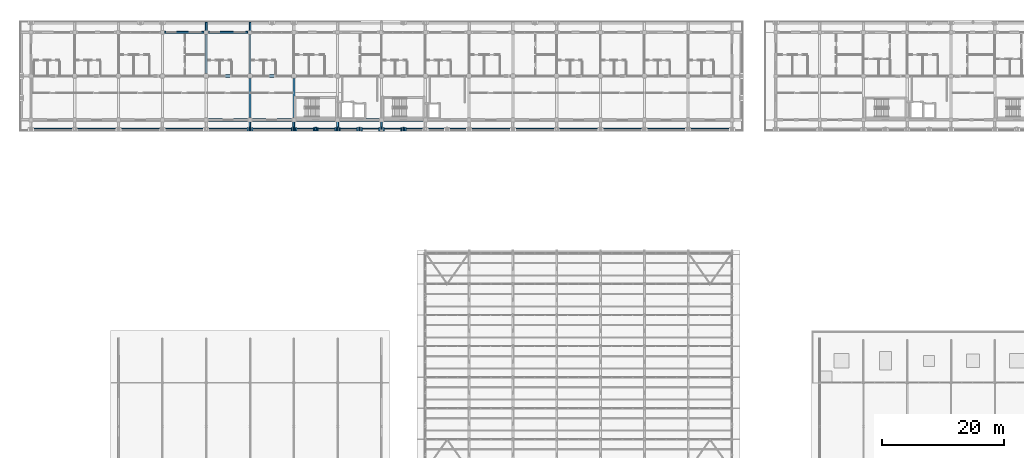
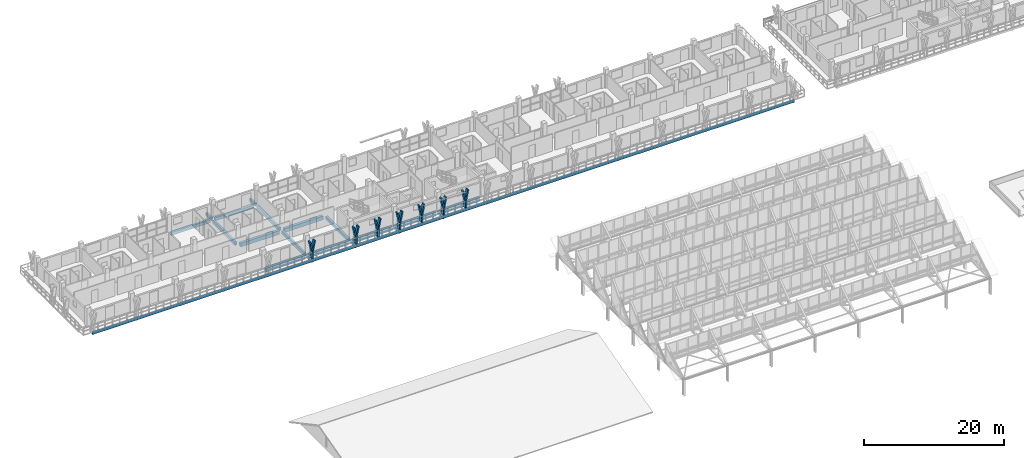
# One storey, part 34 of 157: 21 members, 20 beams.
"""IFC4 building model written with IfcOpenShell, lengths in metres."""

from ifc_helpers import new_model, si_unit, direction, frame, origin, origin_2d, place, context, subcontext, project, spatial, rectangle, extrude, material, material_profile, profile_set, type_object, element, save


model = new_model("IFC4")

# Units and contexts
model_context = context("Model", 3, precision=1e-05, world=origin(), true_north=direction((0.0, 1.0)))
body_context = subcontext(model_context, "Body", "Model", "MODEL_VIEW")
ifc_project = project(units=[si_unit("LENGTHUNIT", "METRE"), si_unit("AREAUNIT", "SQUARE_METRE"), si_unit("VOLUMEUNIT", "CUBIC_METRE"), si_unit("PLANEANGLEUNIT", "RADIAN"), si_unit("MASSUNIT", "GRAM", prefix="KILO")], contexts=[model_context])

# Site, building, storey
site_placement = place(None, origin())
site = spatial("IfcSite", under=ifc_project, at=site_placement, CompositionType="ELEMENT")
building_placement = place(site_placement, origin())
building = spatial("IfcBuilding", under=site, at=building_placement, Name="Suanplinth Sawtooth Commons", CompositionType="ELEMENT")
storey_placement = place(building_placement, frame((0.0, 0.0, 9.0)))
storey = spatial("IfcBuildingStorey", under=building, at=storey_placement, Name="L02", CompositionType="ELEMENT", Elevation=9.0)

# Beams
ifc_material_1 = material(Name="Precast concrete C40/50", Category="concrete")
ifc_material_profile_1 = material_profile(ifc_material_1, rectangle(XDim=0.449951171875, YDim=0.64990234375, at=origin_2d()), Name="PC-GDR 450x650")
ifc_profile_set_1 = profile_set([ifc_material_profile_1], Name="Precast concrete C40/50")
beam_type_1 = type_object("IfcBeamType", Name="B-04", PredefinedType="USERDEFINED", material=ifc_profile_set_1)
for number, where, z_axis, x_axis, name in (
    (1, (29.199951171875, 108.0, -0.574951171875), (1.0, 0.0, 0.0), (0.0, 1.0, 0.0), "BMX-L02-A-4-15"),
    (2, (29.199951171875, 115.199951171875, -0.574951171875), (1.0, 0.0, 0.0), (0.0, 1.0, 0.0), "BMX-L02-A-4-16"),
    (3, (36.39990234375, 108.0, -0.574951171875), (1.0, 0.0, 0.0), (0.0, 1.0, 0.0), "BMX-L02-A-5-15"),
    (4, (36.39990234375, 115.199951171875, -0.574951171875), (1.0, 0.0, 0.0), (0.0, 1.0, 0.0), "BMX-L02-A-5-16"),
):
    element("IfcBeam", number, at=place(storey_placement, frame(where, z_axis=z_axis, x_axis=x_axis)), inside=storey, type_object=beam_type_1, Name=name, ObjectType="GIRDER", PredefinedType="USERDEFINED", context=body_context, shape_type="SweptSolid", body=[
        extrude(rectangle(XDim=0.449951171875, YDim=0.64990234375, at=origin_2d()), origin(), (0.0, 0.0, 1.0), 6.400146484375),
    ])
for number, where, z_axis, x_axis, name in (
    (5, (43.60009765625, 108.0, -0.574951171875), (1.0, 0.0, 0.0), (0.0, 1.0, 0.0), "BMX-L02-A-6-15"),
    (6, (50.800048828125, 108.0, -0.574951171875), (1.0, 0.0, 0.0), (0.0, 1.0, 0.0), "BMX-L02-A-7-15"),
    (7, (58.0, 108.0, -0.574951171875), (1.0, 0.0, 0.0), (0.0, 1.0, 0.0), "BMX-L02-A-8-15"),
):
    element("IfcBeam", number, at=place(storey_placement, frame(where, z_axis=z_axis, x_axis=x_axis)), inside=storey, type_object=beam_type_1, Name=name, ObjectType="GIRDER", PredefinedType="USERDEFINED", context=body_context, shape_type="SweptSolid", body=[
        extrude(rectangle(XDim=0.449951171875, YDim=0.64990234375, at=origin_2d()), origin(), (0.0, 0.0, 1.0), 6.39990234375),
    ])
ifc_material_profile_2 = material_profile(ifc_material_1, rectangle(XDim=0.35009765625, YDim=0.550048828125, at=origin_2d()), Name="PC-BM 350x550")
ifc_profile_set_2 = profile_set([ifc_material_profile_2], Name="Precast concrete C40/50")
beam_type_2 = type_object("IfcBeamType", Name="B-06", PredefinedType="BEAM", material=ifc_profile_set_2)
beam_1_placement = place(storey_placement, frame((28.800048828125, 115.60009765625, -0.52490234375), z_axis=(0.0, 1.0, 0.0), x_axis=(-1.0, 0.0, 0.0)))
element("IfcBeam", 8, at=beam_1_placement, inside=storey, type_object=beam_type_2, Name="BMY-L02-A-4-16", PredefinedType="BEAM", context=body_context, shape_type="SweptSolid", body=[
    extrude(rectangle(XDim=0.35009765625, YDim=0.550048828125, at=origin_2d()), origin(), (0.0, 0.0, 1.0), 6.39990234375),
])
beam_2_placement = place(storey_placement, frame((36.0, 108.39990234375, -0.52490234375), z_axis=(0.0, 1.0, 0.0), x_axis=(-1.0, 0.0, 0.0)))
element("IfcBeam", 9, at=beam_2_placement, inside=storey, type_object=beam_type_2, Name="BMY-L02-A-5-15", PredefinedType="BEAM", context=body_context, shape_type="SweptSolid", body=[
    extrude(rectangle(XDim=0.35009765625, YDim=0.550048828125, at=origin_2d()), origin(), (0.0, 0.0, 1.0), 6.400146484375),
])
beam_3_placement = place(storey_placement, frame((36.0, 115.60009765625, -0.52490234375), z_axis=(0.0, 1.0, 0.0), x_axis=(-1.0, 0.0, 0.0)))
element("IfcBeam", 10, at=beam_3_placement, inside=storey, type_object=beam_type_2, Name="BMY-L02-A-5-16", PredefinedType="BEAM", context=body_context, shape_type="SweptSolid", body=[
    extrude(rectangle(XDim=0.35009765625, YDim=0.550048828125, at=origin_2d()), origin(), (0.0, 0.0, 1.0), 6.39990234375),
])
beam_4_placement = place(storey_placement, frame((43.199951171875, 108.39990234375, -0.52490234375), z_axis=(0.0, 1.0, 0.0), x_axis=(-1.0, 0.0, 0.0)))
element("IfcBeam", 11, at=beam_4_placement, inside=storey, type_object=beam_type_2, Name="BMY-L02-A-6-15", PredefinedType="BEAM", context=body_context, shape_type="SweptSolid", body=[
    extrude(rectangle(XDim=0.35009765625, YDim=0.550048828125, at=origin_2d()), origin(), (0.0, 0.0, 1.0), 6.400146484375),
])
ifc_material_profile_3 = material_profile(ifc_material_1, rectangle(XDim=0.300048828125, YDim=0.5, at=origin_2d()), Name="PC-BM 300x500")
ifc_profile_set_3 = profile_set([ifc_material_profile_3], Name="Precast concrete C40/50")
beam_type_3 = type_object("IfcBeamType", Name="B-07", PredefinedType="BEAM", material=ifc_profile_set_3)
for number, where, z_axis, x_axis, name in (
    (12, (28.800048828125, 122.39990234375, -0.429931640625), (0.0, 1.0, 0.0), (-1.0, 0.0, 0.0), "Balcony Outrigger L02-A-N-4"),
    (13, (36.0, 122.39990234375, -0.429931640625), (0.0, 1.0, 0.0), (-1.0, 0.0, 0.0), "Balcony Outrigger L02-A-N-5"),
):
    element("IfcBeam", number, at=place(storey_placement, frame(where, z_axis=z_axis, x_axis=x_axis)), inside=storey, type_object=beam_type_3, Name=name, PredefinedType="BEAM", context=body_context, shape_type="SweptSolid", body=[
        extrude(rectangle(XDim=0.300048828125, YDim=0.5, at=origin_2d()), origin(), (0.0, 0.0, 1.0), 1.64013671875),
    ])
for number, where, z_axis, x_axis, name in (
    (14, (36.0, 108.0, -0.429931640625), (0.0, -1.0, 0.0), (1.0, 0.0, 0.0), "Balcony Outrigger L02-A-S-5"),
    (15, (43.199951171875, 108.0, -0.429931640625), (0.0, -1.0, 0.0), (1.0, 0.0, 0.0), "Balcony Outrigger L02-A-S-6"),
    (16, (50.39990234375, 108.0, -0.429931640625), (0.0, -1.0, 0.0), (1.0, 0.0, 0.0), "Balcony Outrigger L02-A-S-7"),
    (17, (57.60009765625, 108.0, -0.429931640625), (0.0, -1.0, 0.0), (1.0, 0.0, 0.0), "Balcony Outrigger L02-A-S-8"),
):
    element("IfcBeam", number, at=place(storey_placement, frame(where, z_axis=z_axis, x_axis=x_axis)), inside=storey, type_object=beam_type_3, Name=name, PredefinedType="BEAM", context=body_context, shape_type="SweptSolid", body=[
        extrude(rectangle(XDim=0.300048828125, YDim=0.5, at=origin_2d()), origin(), (0.0, 0.0, 1.0), 1.639892578125),
    ])
ifc_material_profile_4 = material_profile(ifc_material_1, rectangle(XDim=0.280029296875, YDim=0.52001953125, at=origin_2d()), Name="PC-SP 280x520")
ifc_profile_set_4 = profile_set([ifc_material_profile_4], Name="Precast concrete C40/50")
beam_type_4 = type_object("IfcBeamType", Name="B-08", PredefinedType="SPANDREL", material=ifc_profile_set_4)
beam_5_placement = place(storey_placement, frame((22.0, 122.39990234375, -0.510009765625), z_axis=(1.0, 0.0, 0.0), x_axis=(0.0, 1.0, 0.0)))
element("IfcBeam", 18, at=beam_5_placement, inside=storey, type_object=beam_type_4, Name="BMX-L02-A-3-17", PredefinedType="SPANDREL", context=body_context, shape_type="SweptSolid", body=[
    extrude(rectangle(XDim=0.280029296875, YDim=0.52001953125, at=origin_2d()), origin(), (0.0, 0.0, 1.0), 6.39990234375),
])
beam_6_placement = place(storey_placement, frame((29.199951171875, 122.39990234375, -0.510009765625), z_axis=(1.0, 0.0, 0.0), x_axis=(0.0, 1.0, 0.0)))
element("IfcBeam", 19, at=beam_6_placement, inside=storey, type_object=beam_type_4, Name="BMX-L02-A-4-17", PredefinedType="SPANDREL", context=body_context, shape_type="SweptSolid", body=[
    extrude(rectangle(XDim=0.280029296875, YDim=0.52001953125, at=origin_2d()), origin(), (0.0, 0.0, 1.0), 6.400146484375),
])
ifc_material_profile_5 = material_profile(ifc_material_1, rectangle(XDim=0.25, YDim=0.449951171875, at=origin_2d()), Name="PC-SP 250x450")
ifc_profile_set_5 = profile_set([ifc_material_profile_5], Name="Precast concrete C40/50")
beam_type_5 = type_object("IfcBeamType", Name="B-09", PredefinedType="SPANDREL", material=ifc_profile_set_5)
beam_7_placement = place(storey_placement, frame((-0.14990234375, 106.47998046875, -0.405029296875), z_axis=(1.0, 0.0, 0.0), x_axis=(0.0, 1.0, 0.0)))
element("IfcBeam", 20, at=beam_7_placement, inside=storey, type_object=beam_type_5, Name="Balcony Edge Fascia L02-A-S", PredefinedType="SPANDREL", context=body_context, shape_type="SweptSolid", body=[
    extrude(rectangle(XDim=0.25, YDim=0.449951171875, at=origin_2d()), origin(), (0.0, 0.0, 1.0), 115.5),
])

# Members
ifc_material_2 = material(Name="Pigmented precast concrete C40/50", Category="concrete")
ifc_material_profile_6 = material_profile(ifc_material_2, rectangle(XDim=0.260009765625, YDim=0.550048828125, at=origin_2d()), Name="PC-FIN 260x550")
ifc_profile_set_6 = profile_set([ifc_material_profile_6], Name="Pigmented precast concrete C40/50")
member_type_1 = type_object("IfcMemberType", Name="M-09", PredefinedType="USERDEFINED", material=ifc_profile_set_6)
for number, where, z_axis, x_axis, name in (
    (21, (36.0, 106.47998046875, 0.0), (0.0, 0.0, 1.0), (1.0, 0.0, 0.0), "Y-Blade Stem L02-A-S-15"),
    (22, (43.199951171875, 106.47998046875, 0.0), (0.0, 0.0, 1.0), (1.0, 0.0, 0.0), "Y-Blade Stem L02-A-S-16"),
    (23, (46.800048828125, 106.47998046875, 0.0), (0.0, 0.0, 1.0), (1.0, 0.0, 0.0), "Y-Blade Stem L02-A-S-17"),
    (24, (50.39990234375, 106.47998046875, 0.0), (0.0, 0.0, 1.0), (1.0, 0.0, 0.0), "Y-Blade Stem L02-A-S-18"),
    (25, (54.0, 106.47998046875, 0.0), (0.0, 0.0, 1.0), (1.0, 0.0, 0.0), "Y-Blade Stem L02-A-S-19"),
    (26, (57.60009765625, 106.47998046875, 0.0), (0.0, 0.0, 1.0), (1.0, 0.0, 0.0), "Y-Blade Stem L02-A-S-20"),
    (27, (61.199951171875, 106.47998046875, 0.0), (0.0, 0.0, 1.0), (1.0, 0.0, 0.0), "Y-Blade Stem L02-A-S-21"),
):
    element("IfcMember", number, at=place(storey_placement, frame(where, z_axis=z_axis, x_axis=x_axis)), inside=storey, type_object=member_type_1, Name=name, ObjectType="SHADING FIN", PredefinedType="USERDEFINED", context=body_context, shape_type="SweptSolid", body=[
        extrude(rectangle(XDim=0.260009765625, YDim=0.550048828125, at=origin_2d()), origin(), (0.0, 0.0, 1.0), 1.169921875),
    ])
ifc_material_profile_7 = material_profile(ifc_material_2, rectangle(XDim=0.219970703125, YDim=0.550048828125, at=origin_2d()), Name="PC-FIN 220x550")
ifc_profile_set_7 = profile_set([ifc_material_profile_7], Name="Pigmented precast concrete C40/50")
member_type_2 = type_object("IfcMemberType", Name="M-10", PredefinedType="USERDEFINED", material=ifc_profile_set_7)
for number, where, z_axis, x_axis, name in (
    (28, (36.0, 106.47998046875, 1.1298828125), (-0.196406855569, 0.0, 0.980522486782), (0.980522486782, 0.0, 0.196406855569), "Y-Blade Arm L L02-A-S-15"),
    (29, (36.0, 106.47998046875, 1.1298828125), (0.196406855569, 0.0, 0.980522486782), (-0.980522486782, 0.0, 0.196406855569), "Y-Blade Arm R L02-A-S-15"),
):
    element("IfcMember", number, at=place(storey_placement, frame(where, z_axis=z_axis, x_axis=x_axis)), inside=storey, type_object=member_type_2, Name=name, ObjectType="SHADING FIN", PredefinedType="USERDEFINED", context=body_context, shape_type="SweptSolid", body=[
        extrude(rectangle(XDim=0.219970703125, YDim=0.550048828125, at=origin_2d()), origin(), (0.0, 0.0, 1.0), 1.93798828125),
    ])
member_1_placement = place(storey_placement, frame((43.199951171875, 106.47998046875, 1.1298828125), z_axis=(-0.196285728346, 0.0, 0.980546741796), x_axis=(0.980546741796, 0.0, 0.196285728346)))
element("IfcMember", 30, at=member_1_placement, inside=storey, type_object=member_type_2, Name="Y-Blade Arm L L02-A-S-16", ObjectType="SHADING FIN", PredefinedType="USERDEFINED", context=body_context, shape_type="SweptSolid", body=[
    extrude(rectangle(XDim=0.219970703125, YDim=0.550048828125, at=origin_2d()), origin(), (0.0, 0.0, 1.0), 1.937744140625),
])
for number, where, z_axis, x_axis, name in (
    (31, (43.199951171875, 106.47998046875, 1.1298828125), (0.196406855569, 0.0, 0.980522486782), (-0.980522486782, 0.0, 0.196406855569), "Y-Blade Arm R L02-A-S-16"),
    (32, (46.800048828125, 106.47998046875, 1.1298828125), (-0.196406855569, 0.0, 0.980522486782), (0.980522486782, 0.0, 0.196406855569), "Y-Blade Arm L L02-A-S-17"),
):
    element("IfcMember", number, at=place(storey_placement, frame(where, z_axis=z_axis, x_axis=x_axis)), inside=storey, type_object=member_type_2, Name=name, ObjectType="SHADING FIN", PredefinedType="USERDEFINED", context=body_context, shape_type="SweptSolid", body=[
        extrude(rectangle(XDim=0.219970703125, YDim=0.550048828125, at=origin_2d()), origin(), (0.0, 0.0, 1.0), 1.93798828125),
    ])
for number, where, z_axis, x_axis, name in (
    (33, (46.800048828125, 106.47998046875, 1.1298828125), (0.196285728346, 0.0, 0.980546741796), (-0.980546741796, 0.0, 0.196285728346), "Y-Blade Arm R L02-A-S-17"),
    (34, (50.39990234375, 106.47998046875, 1.1298828125), (-0.196285728346, 0.0, 0.980546741796), (0.980546741796, 0.0, 0.196285728346), "Y-Blade Arm L L02-A-S-18"),
):
    element("IfcMember", number, at=place(storey_placement, frame(where, z_axis=z_axis, x_axis=x_axis)), inside=storey, type_object=member_type_2, Name=name, ObjectType="SHADING FIN", PredefinedType="USERDEFINED", context=body_context, shape_type="SweptSolid", body=[
        extrude(rectangle(XDim=0.219970703125, YDim=0.550048828125, at=origin_2d()), origin(), (0.0, 0.0, 1.0), 1.937744140625),
    ])
for number, where, z_axis, x_axis, name in (
    (35, (50.39990234375, 106.47998046875, 1.1298828125), (0.196406855569, 0.0, 0.980522486782), (-0.980522486782, 0.0, 0.196406855569), "Y-Blade Arm R L02-A-S-18"),
    (36, (54.0, 106.47998046875, 1.1298828125), (-0.196406855569, 0.0, 0.980522486782), (0.980522486782, 0.0, 0.196406855569), "Y-Blade Arm L L02-A-S-19"),
    (37, (54.0, 106.47998046875, 1.1298828125), (0.196406855569, 0.0, 0.980522486782), (-0.980522486782, 0.0, 0.196406855569), "Y-Blade Arm R L02-A-S-19"),
    (38, (57.60009765625, 106.47998046875, 1.1298828125), (-0.196406855569, 0.0, 0.980522486782), (0.980522486782, 0.0, 0.196406855569), "Y-Blade Arm L L02-A-S-20"),
):
    element("IfcMember", number, at=place(storey_placement, frame(where, z_axis=z_axis, x_axis=x_axis)), inside=storey, type_object=member_type_2, Name=name, ObjectType="SHADING FIN", PredefinedType="USERDEFINED", context=body_context, shape_type="SweptSolid", body=[
        extrude(rectangle(XDim=0.219970703125, YDim=0.550048828125, at=origin_2d()), origin(), (0.0, 0.0, 1.0), 1.93798828125),
    ])
for number, where, z_axis, x_axis, name in (
    (39, (57.60009765625, 106.47998046875, 1.1298828125), (0.196285728346, 0.0, 0.980546741796), (-0.980546741796, 0.0, 0.196285728346), "Y-Blade Arm R L02-A-S-20"),
    (40, (61.199951171875, 106.47998046875, 1.1298828125), (-0.196285728346, 0.0, 0.980546741796), (0.980546741796, 0.0, 0.196285728346), "Y-Blade Arm L L02-A-S-21"),
):
    element("IfcMember", number, at=place(storey_placement, frame(where, z_axis=z_axis, x_axis=x_axis)), inside=storey, type_object=member_type_2, Name=name, ObjectType="SHADING FIN", PredefinedType="USERDEFINED", context=body_context, shape_type="SweptSolid", body=[
        extrude(rectangle(XDim=0.219970703125, YDim=0.550048828125, at=origin_2d()), origin(), (0.0, 0.0, 1.0), 1.937744140625),
    ])
member_2_placement = place(storey_placement, frame((61.199951171875, 106.47998046875, 1.1298828125), z_axis=(0.196406855569, 0.0, 0.980522486782), x_axis=(-0.980522486782, 0.0, 0.196406855569)))
element("IfcMember", 41, at=member_2_placement, inside=storey, type_object=member_type_2, Name="Y-Blade Arm R L02-A-S-21", ObjectType="SHADING FIN", PredefinedType="USERDEFINED", context=body_context, shape_type="SweptSolid", body=[
    extrude(rectangle(XDim=0.219970703125, YDim=0.550048828125, at=origin_2d()), origin(), (0.0, 0.0, 1.0), 1.93798828125),
])

save(model, "model.ifc")
